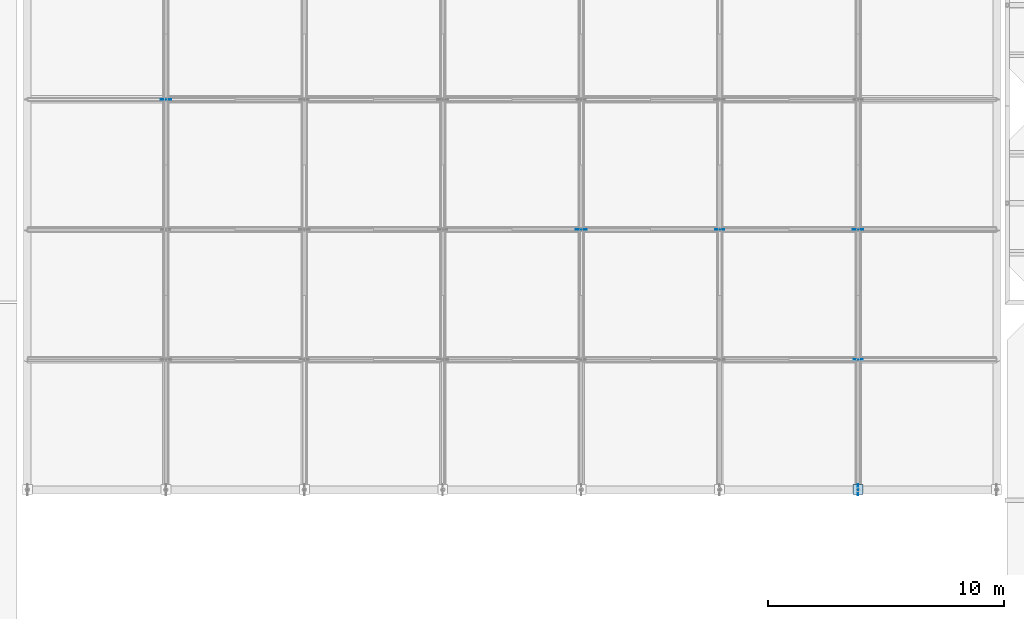
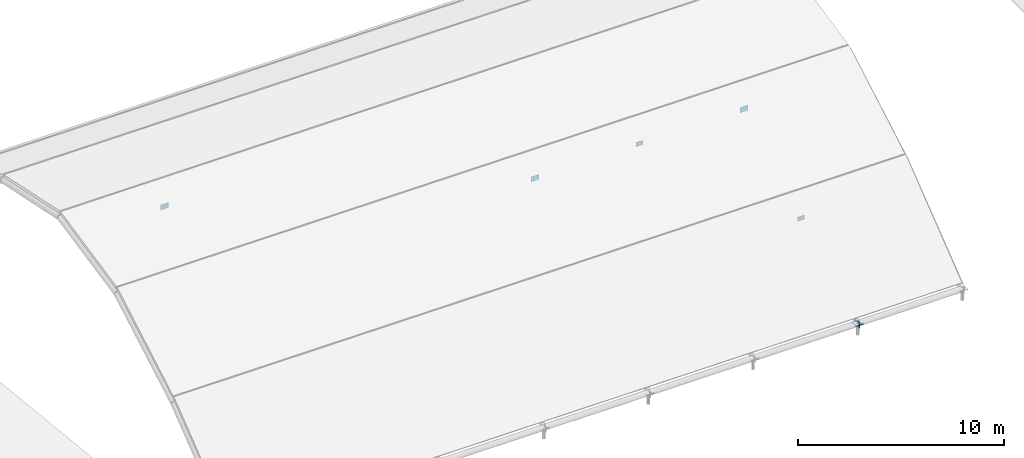
# One storey, part 78 of 82: 7 plates.
"""IFC4 building model written with IfcOpenShell, lengths in metres."""

from ifc_helpers import new_model, si_unit, direction, frame, origin, origin_2d, place, context, subcontext, project, spatial, rectangle, extrude, material, layer, layer_set, type_object, element, save


model = new_model("IFC4")

# Units and contexts
model_context = context("Model", 3, precision=1e-05, world=origin(), true_north=direction((0.0, 1.0)))
body_context = subcontext(model_context, "Body", "Model", "MODEL_VIEW")
ifc_project = project(units=[si_unit("LENGTHUNIT", "METRE"), si_unit("AREAUNIT", "SQUARE_METRE"), si_unit("VOLUMEUNIT", "CUBIC_METRE"), si_unit("PLANEANGLEUNIT", "RADIAN"), si_unit("MASSUNIT", "GRAM", prefix="KILO")], contexts=[model_context])

# Site, building, storey
site_placement = place(None, origin())
site = spatial("IfcSite", under=ifc_project, at=site_placement, CompositionType="ELEMENT")
building_placement = place(site_placement, origin())
building = spatial("IfcBuilding", under=site, at=building_placement, Name="Bramfleet General Hospital", CompositionType="ELEMENT")
storey_placement = place(building_placement, frame((0.0, 0.0, 34.199951171875)))
storey = spatial("IfcBuildingStorey", under=building, at=storey_placement, Name="Roof", CompositionType="ELEMENT", Elevation=34.199951171875)

# Plates
ifc_material = material(Name="Steel S355", Category="steel")
ifc_layer_1 = layer(ifc_material, 0.02490234375, Name="PL-BP-420")
ifc_layer_set_1 = layer_set([ifc_layer_1], Name="Steel S355")
plate_type_1 = type_object("IfcPlateType", Name="PL-BP-420", PredefinedType="USERDEFINED", material=ifc_layer_set_1)
plate_1_placement = place(storey_placement, frame((86.07861328125, 17.25, -19.449951171875), z_axis=(0.0, 0.0, 1.0), x_axis=(1.0, 0.0, 0.0)))
element("IfcPlate", 1, at=plate_1_placement, inside=storey, type_object=plate_type_1, Name="Space Frame Bearing Base Plate 6-0", ObjectType="Base plate", PredefinedType="USERDEFINED", context=body_context, shape_type="SweptSolid", body=[
    extrude(rectangle(XDim=0.419921875, YDim=0.419921875, at=origin_2d()), origin(), (0.0, 0.0, 1.0), 0.02490234375),
])
ifc_layer_2 = layer(ifc_material, 0.01806640625, Name="PL-GP-480")
ifc_layer_set_2 = layer_set([ifc_layer_2], Name="Steel S355")
plate_type_2 = type_object("IfcPlateType", Name="PL-GP-480", PredefinedType="USERDEFINED", material=ifc_layer_set_2)
plate_2_placement = place(storey_placement, frame((86.07861328125, 17.25, -19.60986328125), z_axis=(0.0, 0.0, 1.0), x_axis=(0.0, 1.0, 0.0)))
element("IfcPlate", 2, at=plate_2_placement, inside=storey, type_object=plate_type_2, Name="Space Frame Arch Gusset Plate 6-0", ObjectType="Gusset plate", PredefinedType="USERDEFINED", context=body_context, shape_type="SweptSolid", body=[
    extrude(rectangle(XDim=0.47998046875, YDim=0.01806640625, at=origin_2d()), origin(), (0.0, 0.0, 1.0), 0.320068359375),
])
ifc_layer_3 = layer(ifc_material, 0.013916015625, Name="PL-SP-390")
ifc_layer_set_3 = layer_set([ifc_layer_3], Name="Steel S355")
plate_type_3 = type_object("IfcPlateType", Name="PL-SP-390", PredefinedType="SHEET", material=ifc_layer_set_3)
for number, where, z_axis, x_axis, name in (
    (3, (80.20703125, 28.283447265625, -13.5322265625), (0.0, 0.0, 1.0), (1.0, 0.0, 0.0), "Space Frame Node Splice Plate 5-2"),
    (4, (86.07861328125, 22.7666015625, -16.68017578125), (0.0, 0.0, 1.0), (1.0, 0.0, 0.0), "Space Frame Node Splice Plate 6-1"),
):
    element("IfcPlate", number, at=place(storey_placement, frame(where, z_axis=z_axis, x_axis=x_axis)), inside=storey, type_object=plate_type_3, Name=name, PredefinedType="SHEET", context=body_context, shape_type="SweptSolid", body=[
        extrude(rectangle(XDim=0.389892578125, YDim=0.013916015625, at=origin_2d()), origin(), (0.0, 0.0, 1.0), 0.260009765625),
    ])
ifc_layer_4 = layer(ifc_material, 0.01611328125, Name="PL-SP-450")
ifc_layer_set_4 = layer_set([ifc_layer_4], Name="Steel S355")
plate_type_4 = type_object("IfcPlateType", Name="PL-SP-450", PredefinedType="SHEET", material=ifc_layer_set_4)
for number, where, z_axis, x_axis, name in (
    (5, (56.721435546875, 33.800048828125, -12.39990234375), (0.0, 0.0, 1.0), (1.0, 0.0, 0.0), "Space Frame Node Splice Plate 1-3"),
    (6, (74.335693359375, 28.283447265625, -13.55224609375), (0.0, 0.0, 1.0), (1.0, 0.0, 0.0), "Space Frame Node Splice Plate 4-2"),
    (7, (86.07861328125, 28.283447265625, -13.55224609375), (0.0, 0.0, 1.0), (1.0, 0.0, 0.0), "Space Frame Node Splice Plate 6-2"),
):
    element("IfcPlate", number, at=place(storey_placement, frame(where, z_axis=z_axis, x_axis=x_axis)), inside=storey, type_object=plate_type_4, Name=name, PredefinedType="SHEET", context=body_context, shape_type="SweptSolid", body=[
        extrude(rectangle(XDim=0.449951171875, YDim=0.01611328125, at=origin_2d()), origin(), (0.0, 0.0, 1.0), 0.300048828125),
    ])

save(model, "model.ifc")
